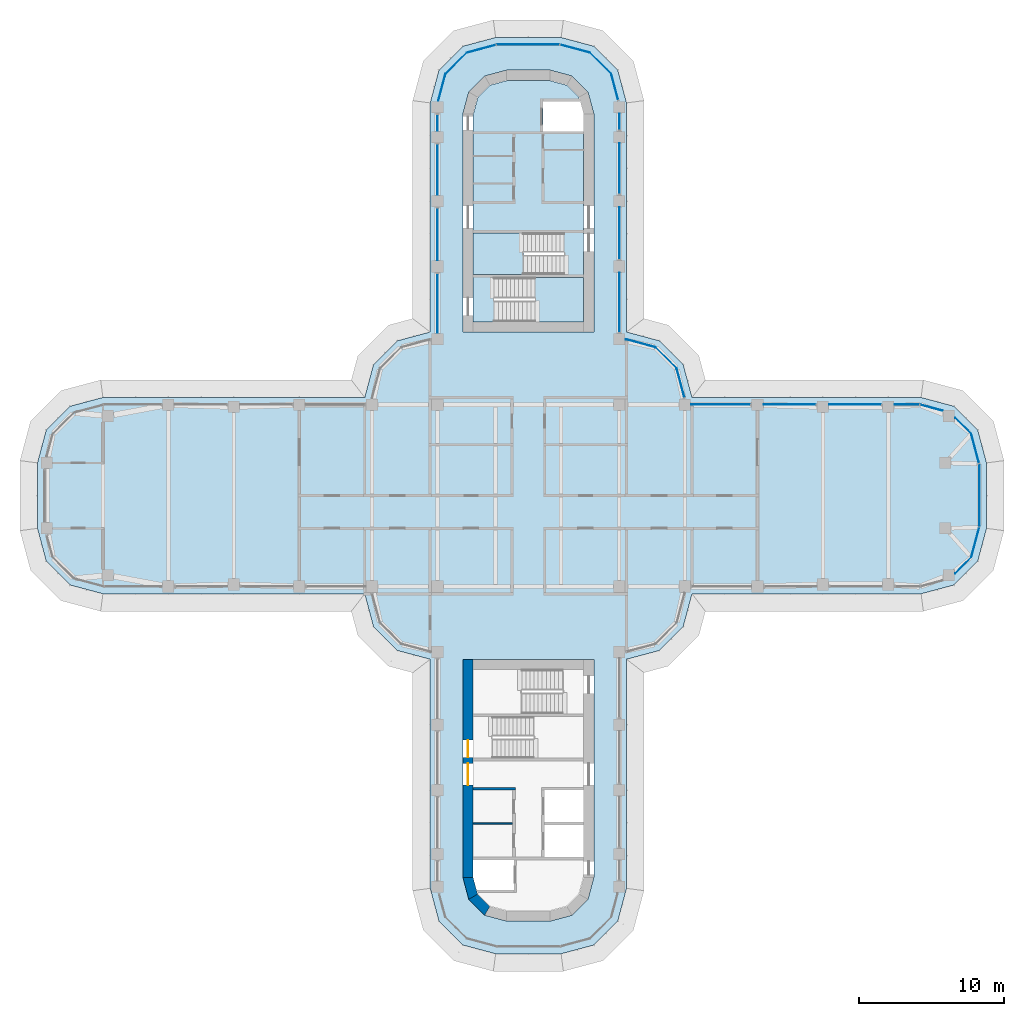
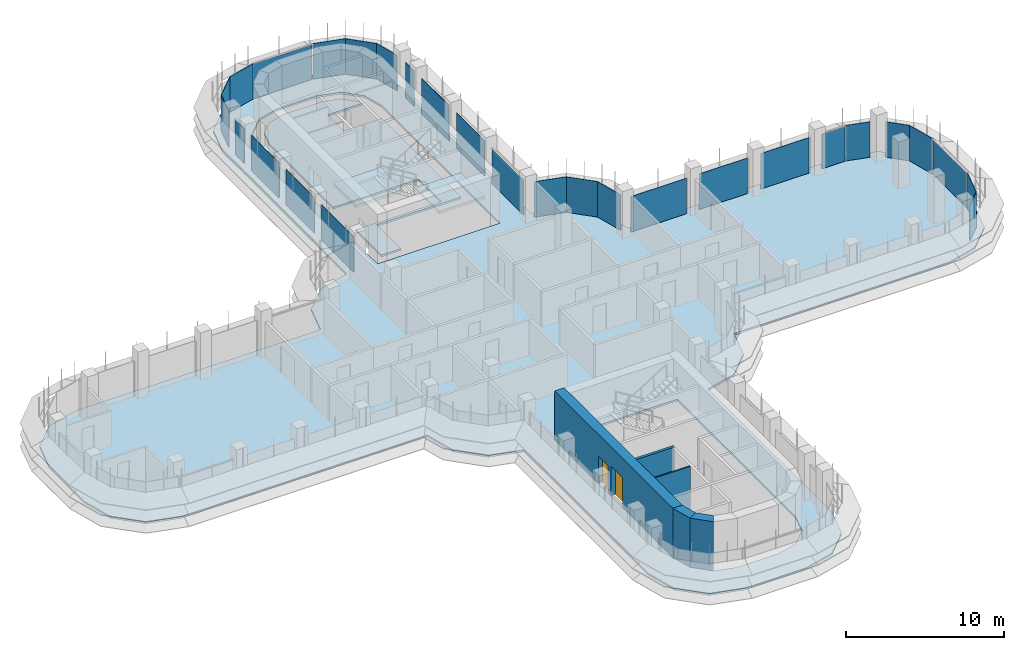
# One storey, part 12 of 20: 28 plates, 5 walls, 4 slabs, 2 doors, 2 openings, 21 elements without a shape of their own.
"""IFC4 building model written with IfcOpenShell, lengths in metres."""

from ifc_helpers import new_model, si_unit, direction, frame, frame_2d, origin, place, context, subcontext, project, spatial, polyline, rectangle, outline, extrude, source, transform, mapped, material, layer, layer_set, type_object, element, fill, aggregate, save


model = new_model("IFC4")

# Units and contexts
model_context = context("Model", 3, precision=1e-05, world=origin(), true_north=direction((0.0, 1.0)))
body_context = subcontext(model_context, "Body", "Model", "MODEL_VIEW")
ifc_project = project(units=[si_unit("LENGTHUNIT", "METRE"), si_unit("AREAUNIT", "SQUARE_METRE"), si_unit("VOLUMEUNIT", "CUBIC_METRE"), si_unit("PLANEANGLEUNIT", "RADIAN"), si_unit("MASSUNIT", "GRAM", prefix="KILO")], contexts=[model_context])

# Site, building, storey
site_placement = place(None, origin())
site = spatial("IfcSite", under=ifc_project, at=site_placement, CompositionType="ELEMENT")
building_placement = place(site_placement, origin())
building = spatial("IfcBuilding", under=site, at=building_placement, Name="Zarbagh Exchange Tower", CompositionType="ELEMENT")
storey_placement = place(building_placement, frame((0.0, 0.0, 163.800048828125)))
storey = spatial("IfcBuildingStorey", under=building, at=storey_placement, Name="L39", CompositionType="ELEMENT", Elevation=163.800048828125)

# Slabs
ifc_material_1 = material(Name="Concrete C40/50", Category="concrete")
ifc_layer_1 = layer(ifc_material_1, 0.14990234375)
ifc_layer_set_1 = layer_set([ifc_layer_1], Name="Composite floor slab 150 C40/50")
slab_type_1 = type_object("IfcSlabType", Name="Composite floor slab 150 C40/50", PredefinedType="FLOOR", material=ifc_layer_set_1)
slab_1_placement = place(storey_placement, frame((0.0, 0.0, -0.150146484375)))
element("IfcSlab", 1, at=slab_1_placement, inside=storey, type_object=slab_type_1, Name="S5 composite floor slab", PredefinedType="FLOOR", context=body_context, shape_type="SweptSolid", body=[
    extrude(outline(polyline([(-2.25, -31.5), (-4.5, -30.897216796875), (-6.147216796875, -29.25), (-6.75, -27.0), (-6.75, -11.25), (-9.0, -10.647216796875), (-10.647216796875, -9.0), (-11.25, -6.75), (-29.25, -6.75), (-31.5, -6.147216796875), (-33.147216796875, -4.5), (-33.75, -2.25), (-33.75, 2.25), (-33.147216796875, 4.5), (-31.5, 6.147216796875), (-29.25, 6.75), (-11.25, 6.75), (-10.647216796875, 9.0), (-9.0, 10.647216796875), (-6.75, 11.25), (-6.75, 27.0), (-6.147216796875, 29.25), (-4.5, 30.897216796875), (-2.25, 31.5), (2.25, 31.5), (4.5, 30.897216796875), (6.147216796875, 29.25), (6.75, 27.0), (6.75, 11.25), (9.0, 10.647216796875), (10.647216796875, 9.0), (11.25, 6.75), (27.0, 6.75), (29.25, 6.147216796875), (30.897216796875, 4.5), (31.5, 2.25), (31.5, -2.25), (30.897216796875, -4.5), (29.25, -6.147216796875), (27.0, -6.75), (11.25, -6.75), (10.647216796875, -9.0), (9.0, -10.647216796875), (6.75, -11.25), (6.75, -27.0), (6.147216796875, -29.25), (4.5, -30.897216796875), (2.25, -31.5), (-2.25, -31.5)]), holes=[polyline([(4.5, 11.25), (4.5, 26.25), (4.09814453125, 27.75), (3.0, 28.84814453125), (1.5, 29.25), (-1.5, 29.25), (-3.0, 28.84814453125), (-4.09814453125, 27.75), (-4.5, 26.25), (-4.5, 11.25), (4.5, 11.25)]), polyline([(-1.5, -29.25), (1.5, -29.25), (3.0, -28.84814453125), (4.09814453125, -27.75), (4.5, -26.25), (4.5, -11.25), (-4.5, -11.25), (-4.5, -26.25), (-4.09814453125, -27.75), (-3.0, -28.84814453125), (-1.5, -29.25)])]), origin(), (0.0, 0.0, 1.0), 0.150146484375),
])
ifc_layer_2 = layer(ifc_material_1, 0.14990234375)
ifc_layer_set_2 = layer_set([ifc_layer_2], Name="Core floor slab 150 C40/50")
slab_type_2 = type_object("IfcSlabType", Name="Core floor slab 150 C40/50", PredefinedType="FLOOR", material=ifc_layer_set_2)
slab_2_placement = place(storey_placement, frame((0.0, 0.0, -0.150146484375)))
element("IfcSlab", 2, at=slab_2_placement, inside=storey, type_object=slab_type_2, Name="S17 core N", PredefinedType="FLOOR", context=body_context, shape_type="SweptSolid", body=[
    extrude(outline(polyline([(-3.800048828125, 11.949951171875), (-3.800048828125, 15.199951171875), (2.449951171875, 15.199951171875), (2.449951171875, 18.050048828125), (-3.800048828125, 18.050048828125), (-3.800048828125, 26.15771484375), (-3.470458984375, 27.3876953125), (-2.6376953125, 28.220458984375), (-1.40771484375, 28.550048828125), (1.40771484375, 28.550048828125), (2.6376953125, 28.220458984375), (3.470458984375, 27.3876953125), (3.800048828125, 26.15771484375), (3.800048828125, 26.15771484375), (3.547607421875, 27.10009765625), (1.0, 27.10009765625), (1.0, 25.050048828125), (3.800048828125, 25.050048828125), (3.800048828125, 15.0), (-2.35009765625, 15.0), (-2.35009765625, 11.949951171875), (-3.800048828125, 11.949951171875)])), origin(), (0.0, 0.0, 1.0), 0.150146484375),
])

# Stair, slab
stair_type = type_object("IfcStairType", Name="Exit stair two-flight half-turn", PredefinedType="HALF_TURN_STAIR", material=ifc_material_1)
stair_1_placement = place(storey_placement, origin())
stair_1 = element("IfcStair", 3, at=stair_1_placement, inside=storey, type_object=stair_type, Name="exit stair ST1", PredefinedType="HALF_TURN_STAIR")
ifc_layer_3 = layer(ifc_material_1, 0.199951171875)
ifc_layer_set_3 = layer_set([ifc_layer_3], Name="Stair landing 200 mm")
slab_type_3 = type_object("IfcSlabType", Name="Stair landing 200 mm", PredefinedType="LANDING", material=ifc_layer_set_3)
slab_3_placement = place(storey_placement, frame((0.0, 0.0, 1.699951171875)))
slab_3 = element("IfcSlab", 4, at=slab_3_placement, type_object=slab_type_3, Name="ST1 landing 1", PredefinedType="LANDING", context=body_context, shape_type="SweptSolid", body=[
    extrude(outline(polyline([(-0.35009765625, 18.050048828125), (-3.800048828125, 18.050048828125), (-3.800048828125, 15.199951171875), (-0.35009765625, 15.199951171875), (-0.35009765625, 18.050048828125)])), origin(), (0.0, 0.0, 1.0), 0.199951171875),
])
aggregate(stair_1, [slab_3])

stair_2_placement = place(storey_placement, origin())
stair_2 = element("IfcStair", 5, at=stair_2_placement, inside=storey, type_object=stair_type, Name="exit stair ST2", PredefinedType="HALF_TURN_STAIR")
slab_4_placement = place(storey_placement, frame((0.0, 0.0, 1.699951171875)))
slab_4 = element("IfcSlab", 6, at=slab_4_placement, type_object=slab_type_3, Name="ST2 landing 1", PredefinedType="LANDING", context=body_context, shape_type="SweptSolid", body=[
    extrude(outline(polyline([(0.449951171875, 11.949951171875), (3.800048828125, 11.949951171875), (3.800048828125, 15.0), (0.449951171875, 15.0), (0.449951171875, 11.949951171875)])), origin(), (0.0, 0.0, 1.0), 0.199951171875),
])
aggregate(stair_2, [slab_4])

# Curtain wall, plate
ifc_material_2 = material(Name="Anodised aluminium frame and glazing", Category="aluminium")
curtain_wall_type = type_object("IfcCurtainWallType", Name="CWB Ribbon glazing, upper zones", PredefinedType="NOTDEFINED", material=ifc_material_2)
curtain_wall_1_placement = place(storey_placement, origin())
curtain_wall_1 = element("IfcCurtainWall", 7, at=curtain_wall_1_placement, inside=storey, type_object=curtain_wall_type, Name="CWB18 curtain wall", PredefinedType="NOTDEFINED")
ifc_material_3 = material(Name="Low-e double glazed unit, 6+12+6 mm")
ifc_layer_4 = layer(ifc_material_3, 0.031982421875)
ifc_layer_set_4 = layer_set([ifc_layer_4], Name="PAB Glazing panel, Low-e double glazed unit, 6+12+6 mm")
plate_type = type_object("IfcPlateType", Name="PAB Glazing panel, Low-e double glazed unit, 6+12+6 mm", PredefinedType="CURTAIN_PANEL", material=ifc_layer_set_4)
shared_shape_1 = source(origin(), body_context, "Body", "SweptSolid", [
    extrude(outline(polyline([(0.0, -0.01611328125), (2.061279296875, -0.01611328125), (2.061279296875, 0.01611328125), (0.0, 0.01611328125), (0.0, -0.01611328125)])), origin(), (0.0, 0.0, 1.0), 2.75),
])
placement = place(storey_placement, origin())
plate_1 = element("IfcPlate", 8, at=placement, type_object=plate_type, Name="CWB18 glazing panel 1.1", PredefinedType="CURTAIN_PANEL", context=body_context, shape_type="MappedRepresentation", body=[
    mapped(shared_shape_1, transform((10.19873046875, 8.7412109375, 0.0), x_axis=(-0.707106781187, 0.707106781187, 0.0), y_axis=(-0.707106781187, -0.707106781187, 0.0), z_axis=(0.0, 0.0, 1.0))),
])
aggregate(curtain_wall_1, [plate_1])

curtain_wall_2_placement = place(storey_placement, origin())
curtain_wall_2 = element("IfcCurtainWall", 9, at=curtain_wall_2_placement, inside=storey, type_object=curtain_wall_type, Name="CWB22 curtain wall", PredefinedType="NOTDEFINED")
plate_2 = element("IfcPlate", 10, at=placement, type_object=plate_type, Name="CWB22 glazing panel 1.1", PredefinedType="CURTAIN_PANEL", context=body_context, shape_type="MappedRepresentation", body=[
    mapped(shared_shape_1, transform((5.69873046875, 28.9912109375, 0.0), x_axis=(-0.707106781187, 0.707106781187, 0.0), y_axis=(-0.707106781187, -0.707106781187, 0.0), z_axis=(0.0, 0.0, 1.0))),
])
aggregate(curtain_wall_2, [plate_2])

curtain_wall_3_placement = place(storey_placement, origin())
curtain_wall_3 = element("IfcCurtainWall", 11, at=curtain_wall_3_placement, inside=storey, type_object=curtain_wall_type, Name="CWB26 curtain wall", PredefinedType="NOTDEFINED")
plate_3 = element("IfcPlate", 12, at=placement, type_object=plate_type, Name="CWB26 glazing panel 1.1", PredefinedType="CURTAIN_PANEL", context=body_context, shape_type="MappedRepresentation", body=[
    mapped(shared_shape_1, transform((-4.2412109375, 30.44873046875, 0.0), x_axis=(-0.707106781187, -0.707106781187, 0.0), y_axis=(0.707106781187, -0.707106781187, 0.0), z_axis=(0.0, 0.0, 1.0))),
])
aggregate(curtain_wall_3, [plate_3])

curtain_wall_4_placement = place(storey_placement, origin())
curtain_wall_4 = element("IfcCurtainWall", 13, at=curtain_wall_4_placement, inside=storey, type_object=curtain_wall_type, Name="CWB11 curtain wall", PredefinedType="NOTDEFINED")
shared_shape_2 = source(origin(), body_context, "Body", "SweptSolid", [
    extrude(outline(polyline([(0.0, -0.01611328125), (2.129638671875, -0.01611328125), (2.129638671875, 0.01611328125), (0.0, 0.01611328125), (0.0, -0.01611328125)])), origin(), (0.0, 0.0, 1.0), 2.75),
])
plate_4 = element("IfcPlate", 14, at=placement, type_object=plate_type, Name="CWB11 glazing panel 1.1", PredefinedType="CURTAIN_PANEL", context=body_context, shape_type="MappedRepresentation", body=[
    mapped(shared_shape_2, transform((30.44873046875, -4.2412109375, 0.0), x_axis=(0.258824779902, 0.965924289636, 0.0), y_axis=(-0.965924289636, 0.258824779902, 0.0), z_axis=(0.0, 0.0, 1.0))),
])
aggregate(curtain_wall_4, [plate_4])

curtain_wall_5_placement = place(storey_placement, origin())
curtain_wall_5 = element("IfcCurtainWall", 15, at=curtain_wall_5_placement, inside=storey, type_object=curtain_wall_type, Name="CWB23 curtain wall", PredefinedType="NOTDEFINED")
plate_5 = element("IfcPlate", 16, at=placement, type_object=plate_type, Name="CWB23 glazing panel 1.1", PredefinedType="CURTAIN_PANEL", context=body_context, shape_type="MappedRepresentation", body=[
    mapped(shared_shape_2, transform((4.2412109375, 30.44873046875, 0.0), x_axis=(-0.965924289636, 0.258824779902, 0.0), y_axis=(-0.258824779902, -0.965924289636, 0.0), z_axis=(0.0, 0.0, 1.0))),
])
aggregate(curtain_wall_5, [plate_5])

curtain_wall_6_placement = place(storey_placement, origin())
curtain_wall_6 = element("IfcCurtainWall", 17, at=curtain_wall_6_placement, inside=storey, type_object=curtain_wall_type, Name="CWB20 curtain wall", PredefinedType="NOTDEFINED")
shared_shape_3 = source(origin(), body_context, "Body", "SweptSolid", [
    extrude(outline(polyline([(0.0, -0.01611328125), (3.4599609375, -0.01611328125), (3.4599609375, 0.01611328125), (0.0, 0.01611328125), (0.0, -0.01611328125)])), origin(), (0.0, 0.0, 1.0), 2.75),
])
plate_6 = element("IfcPlate", 18, at=placement, type_object=plate_type, Name="CWB20 glazing panel 3.1", PredefinedType="CURTAIN_PANEL", context=body_context, shape_type="MappedRepresentation", body=[
    mapped(shared_shape_3, transform((6.25, 20.75, 0.0), x_axis=(0.0, 1.0, 0.0), y_axis=(-1.0, 0.0, 0.0), z_axis=(0.0, 0.0, 1.0))),
])

curtain_wall_7_placement = place(storey_placement, origin())
curtain_wall_7 = element("IfcCurtainWall", 19, at=curtain_wall_7_placement, inside=storey, type_object=curtain_wall_type, Name="CWB28 curtain wall", PredefinedType="NOTDEFINED")
plate_7 = element("IfcPlate", 20, at=placement, type_object=plate_type, Name="CWB28 glazing panel 2.1", PredefinedType="CURTAIN_PANEL", context=body_context, shape_type="MappedRepresentation", body=[
    mapped(shared_shape_3, transform((-6.25, 24.14990234375, 0.0), x_axis=(0.0, -1.0, 0.0), y_axis=(1.0, 0.0, 0.0), z_axis=(0.0, 0.0, 1.0))),
])

# Curtain wall, plates
curtain_wall_8_placement = place(storey_placement, origin())
curtain_wall_8 = element("IfcCurtainWall", 21, at=curtain_wall_8_placement, inside=storey, type_object=curtain_wall_type, Name="CWB16 curtain wall", PredefinedType="NOTDEFINED")
shared_shape_4 = source(origin(), body_context, "Body", "SweptSolid", [
    extrude(outline(polyline([(0.0, -0.01611328125), (3.56005859375, -0.01611328125), (3.56005859375, 0.01611328125), (0.0, 0.01611328125), (0.0, -0.01611328125)])), origin(), (0.0, 0.0, 1.0), 2.75),
])
plate_8 = element("IfcPlate", 22, at=placement, type_object=plate_type, Name="CWB16 glazing panel 2.1", PredefinedType="CURTAIN_PANEL", context=body_context, shape_type="MappedRepresentation", body=[
    mapped(shared_shape_4, transform((24.25, 6.25, 0.0), x_axis=(-1.0, 0.0, 0.0), y_axis=(0.0, -1.0, 0.0), z_axis=(0.0, 0.0, 1.0))),
])
plate_9 = element("IfcPlate", 23, at=placement, type_object=plate_type, Name="CWB16 glazing panel 3.1", PredefinedType="CURTAIN_PANEL", context=body_context, shape_type="MappedRepresentation", body=[
    mapped(shared_shape_4, transform((19.75, 6.25, 0.0), x_axis=(-1.0, 0.0, 0.0), y_axis=(0.0, -1.0, 0.0), z_axis=(0.0, 0.0, 1.0))),
])

# Plate
plate_10 = element("IfcPlate", 24, at=placement, type_object=plate_type, Name="CWB20 glazing panel 2.1", PredefinedType="CURTAIN_PANEL", context=body_context, shape_type="MappedRepresentation", body=[
    mapped(shared_shape_4, transform((6.25, 16.25, 0.0), x_axis=(0.0, 1.0, 0.0), y_axis=(-1.0, 0.0, 0.0), z_axis=(0.0, 0.0, 1.0))),
])

plate_11 = element("IfcPlate", 25, at=placement, type_object=plate_type, Name="CWB28 glazing panel 3.1", PredefinedType="CURTAIN_PANEL", context=body_context, shape_type="MappedRepresentation", body=[
    mapped(shared_shape_4, transform((-6.25, 19.75, 0.0), x_axis=(0.0, -1.0, 0.0), y_axis=(1.0, 0.0, 0.0), z_axis=(0.0, 0.0, 1.0))),
])

shared_shape_5 = source(origin(), body_context, "Body", "SweptSolid", [
    extrude(outline(polyline([(0.0, -0.01611328125), (4.06005859375, -0.01611328125), (4.06005859375, 0.01611328125), (0.0, 0.01611328125), (0.0, -0.01611328125)])), origin(), (0.0, 0.0, 1.0), 2.75),
])
plate_12 = element("IfcPlate", 26, at=placement, type_object=plate_type, Name="CWB16 glazing panel 4.1", PredefinedType="CURTAIN_PANEL", context=body_context, shape_type="MappedRepresentation", body=[
    mapped(shared_shape_5, transform((15.25, 6.25, 0.0), x_axis=(-1.0, 0.0, 0.0), y_axis=(0.0, -1.0, 0.0), z_axis=(0.0, 0.0, 1.0))),
])

plate_13 = element("IfcPlate", 27, at=placement, type_object=plate_type, Name="CWB28 glazing panel 4.1", PredefinedType="CURTAIN_PANEL", context=body_context, shape_type="MappedRepresentation", body=[
    mapped(shared_shape_5, transform((-6.25, 15.25, 0.0), x_axis=(0.0, -1.0, 0.0), y_axis=(1.0, 0.0, 0.0), z_axis=(0.0, 0.0, 1.0))),
])

# Curtain wall, plate
curtain_wall_9_placement = place(storey_placement, origin())
curtain_wall_9 = element("IfcCurtainWall", 28, at=curtain_wall_9_placement, inside=storey, type_object=curtain_wall_type, Name="CWB17 curtain wall", PredefinedType="NOTDEFINED")
shared_shape_6 = source(origin(), body_context, "Body", "SweptSolid", [
    extrude(outline(polyline([(0.0, -0.01611328125), (2.063720703125, -0.01611328125), (2.063720703125, 0.01611328125), (0.0, 0.01611328125), (0.0, -0.01611328125)])), origin(), (0.0, 0.0, 1.0), 2.75),
])
plate_14 = element("IfcPlate", 29, at=placement, type_object=plate_type, Name="CWB17 glazing panel 1.1", PredefinedType="CURTAIN_PANEL", context=body_context, shape_type="MappedRepresentation", body=[
    mapped(shared_shape_6, transform((10.73291015625, 6.748046875, 0.0), x_axis=(-0.258824779902, 0.965924289636, 0.0), y_axis=(-0.965924289636, -0.258824779902, 0.0), z_axis=(0.0, 0.0, 1.0))),
])
aggregate(curtain_wall_9, [plate_14])

curtain_wall_10_placement = place(storey_placement, origin())
curtain_wall_10 = element("IfcCurtainWall", 30, at=curtain_wall_10_placement, inside=storey, type_object=curtain_wall_type, Name="CWB19 curtain wall", PredefinedType="NOTDEFINED")
shared_shape_7 = source(origin(), body_context, "Body", "SweptSolid", [
    extrude(outline(polyline([(0.0, -0.01611328125), (2.12353515625, -0.01611328125), (2.12353515625, 0.01611328125), (0.0, 0.01611328125), (0.0, -0.01611328125)])), origin(), (0.0, 0.0, 1.0), 2.75),
])
plate_15 = element("IfcPlate", 31, at=placement, type_object=plate_type, Name="CWB19 glazing panel 1.1", PredefinedType="CURTAIN_PANEL", context=body_context, shape_type="MappedRepresentation", body=[
    mapped(shared_shape_7, transform((8.7412109375, 10.19873046875, 0.0), x_axis=(-0.965924289636, 0.258824779902, 0.0), y_axis=(-0.258824779902, -0.965924289636, 0.0), z_axis=(0.0, 0.0, 1.0))),
])
aggregate(curtain_wall_10, [plate_15])

# Plate
shared_shape_8 = source(origin(), body_context, "Body", "SweptSolid", [
    extrude(outline(polyline([(0.0, -0.01611328125), (4.06005859375, -0.01611328125), (4.06005859375, 0.01611328125), (0.0, 0.01611328125), (0.0, -0.01611328125)])), origin(), (0.0, 0.0, 1.0), 2.68994140625),
])
plate_16 = element("IfcPlate", 32, at=placement, type_object=plate_type, Name="CWB20 glazing panel 1.1", PredefinedType="CURTAIN_PANEL", context=body_context, shape_type="MappedRepresentation", body=[
    mapped(shared_shape_8, transform((6.25, 11.25, 0.0), x_axis=(0.0, 1.0, 0.0), y_axis=(-1.0, 0.0, 0.0), z_axis=(0.0, 0.0, 1.0))),
])

# Curtain wall, plate
curtain_wall_11_placement = place(storey_placement, origin())
curtain_wall_11 = element("IfcCurtainWall", 33, at=curtain_wall_11_placement, inside=storey, type_object=curtain_wall_type, Name="CWB10 curtain wall", PredefinedType="NOTDEFINED")
shared_shape_9 = source(origin(), body_context, "Body", "SweptSolid", [
    extrude(outline(polyline([(0.0, -0.01611328125), (1.556884765625, -0.01611328125), (1.556884765625, 0.01611328125), (0.0, 0.01611328125), (0.0, -0.01611328125)])), origin(), (0.0, 0.0, 1.0), 2.75),
])
plate_17 = element("IfcPlate", 34, at=placement, type_object=plate_type, Name="CWB10 glazing panel 1.1", PredefinedType="CURTAIN_PANEL", context=body_context, shape_type="MappedRepresentation", body=[
    mapped(shared_shape_9, transform((29.347900390625, -5.342041015625, 0.0), x_axis=(0.707106781187, 0.707106781187, 0.0), y_axis=(-0.707106781187, 0.707106781187, 0.0), z_axis=(0.0, 0.0, 1.0))),
])
aggregate(curtain_wall_11, [plate_17])

curtain_wall_12_placement = place(storey_placement, origin())
curtain_wall_12 = element("IfcCurtainWall", 35, at=curtain_wall_12_placement, inside=storey, type_object=curtain_wall_type, Name="CWB14 curtain wall", PredefinedType="NOTDEFINED")
plate_18 = element("IfcPlate", 36, at=placement, type_object=plate_type, Name="CWB14 glazing panel 1.1", PredefinedType="CURTAIN_PANEL", context=body_context, shape_type="MappedRepresentation", body=[
    mapped(shared_shape_9, transform((30.44873046875, 4.2412109375, 0.0), x_axis=(-0.707106781187, 0.707106781187, 0.0), y_axis=(-0.707106781187, -0.707106781187, 0.0), z_axis=(0.0, 0.0, 1.0))),
])
aggregate(curtain_wall_12, [plate_18])

curtain_wall_13_placement = place(storey_placement, origin())
curtain_wall_13 = element("IfcCurtainWall", 37, at=curtain_wall_13_placement, inside=storey, type_object=curtain_wall_type, Name="CWB12 curtain wall", PredefinedType="NOTDEFINED")
shared_shape_10 = source(origin(), body_context, "Body", "SweptSolid", [
    extrude(outline(polyline([(0.0, -0.01611328125), (4.308349609375, -0.01611328125), (4.308349609375, 0.01611328125), (0.0, 0.01611328125), (0.0, -0.01611328125)])), origin(), (0.0, 0.0, 1.0), 2.68994140625),
])
plate_19 = element("IfcPlate", 38, at=placement, type_object=plate_type, Name="CWB12 glazing panel 1.1", PredefinedType="CURTAIN_PANEL", context=body_context, shape_type="MappedRepresentation", body=[
    mapped(shared_shape_10, transform((31.0, -2.124267578125, 0.0), x_axis=(0.0, 1.0, 0.0), y_axis=(-1.0, 0.0, 0.0), z_axis=(0.0, 0.0, 1.0))),
])
aggregate(curtain_wall_13, [plate_19])

curtain_wall_14_placement = place(storey_placement, origin())
curtain_wall_14 = element("IfcCurtainWall", 39, at=curtain_wall_14_placement, inside=storey, type_object=curtain_wall_type, Name="CWB24 curtain wall", PredefinedType="NOTDEFINED")
plate_20 = element("IfcPlate", 40, at=placement, type_object=plate_type, Name="CWB24 glazing panel 1.1", PredefinedType="CURTAIN_PANEL", context=body_context, shape_type="MappedRepresentation", body=[
    mapped(shared_shape_10, transform((2.124267578125, 31.0, 0.0), x_axis=(-1.0, 0.0, 0.0), y_axis=(0.0, -1.0, 0.0), z_axis=(0.0, 0.0, 1.0))),
])
aggregate(curtain_wall_14, [plate_20])

curtain_wall_15_placement = place(storey_placement, origin())
curtain_wall_15 = element("IfcCurtainWall", 41, at=curtain_wall_15_placement, inside=storey, type_object=curtain_wall_type, Name="CWB13 curtain wall", PredefinedType="NOTDEFINED")
shared_shape_11 = source(origin(), body_context, "Body", "SweptSolid", [
    extrude(outline(polyline([(0.0, -0.01611328125), (2.069580078125, -0.01611328125), (2.069580078125, 0.01611328125), (0.0, 0.01611328125), (0.0, -0.01611328125)])), origin(), (0.0, 0.0, 1.0), 2.75),
])
plate_21 = element("IfcPlate", 42, at=placement, type_object=plate_type, Name="CWB13 glazing panel 1.1", PredefinedType="CURTAIN_PANEL", context=body_context, shape_type="MappedRepresentation", body=[
    mapped(shared_shape_11, transform((30.984375, 2.2421875, 0.0), x_axis=(-0.258824779902, 0.965924289636, 0.0), y_axis=(-0.965924289636, -0.258824779902, 0.0), z_axis=(0.0, 0.0, 1.0))),
])
aggregate(curtain_wall_15, [plate_21])

curtain_wall_16_placement = place(storey_placement, origin())
curtain_wall_16 = element("IfcCurtainWall", 43, at=curtain_wall_16_placement, inside=storey, type_object=curtain_wall_type, Name="CWB25 curtain wall", PredefinedType="NOTDEFINED")
plate_22 = element("IfcPlate", 44, at=placement, type_object=plate_type, Name="CWB25 glazing panel 1.1", PredefinedType="CURTAIN_PANEL", context=body_context, shape_type="MappedRepresentation", body=[
    mapped(shared_shape_11, transform((-2.2421875, 30.984375, 0.0), x_axis=(-0.965924289636, -0.258824779902, 0.0), y_axis=(0.258824779902, -0.965924289636, 0.0), z_axis=(0.0, 0.0, 1.0))),
])
aggregate(curtain_wall_16, [plate_22])

curtain_wall_17_placement = place(storey_placement, origin())
curtain_wall_17 = element("IfcCurtainWall", 45, at=curtain_wall_17_placement, inside=storey, type_object=curtain_wall_type, Name="CWB15 curtain wall", PredefinedType="NOTDEFINED")
shared_shape_12 = source(origin(), body_context, "Body", "SweptSolid", [
    extrude(outline(polyline([(0.0, -0.01611328125), (1.587890625, -0.01611328125), (1.587890625, 0.01611328125), (0.0, 0.01611328125), (0.0, -0.01611328125)])), origin(), (0.0, 0.0, 1.0), 2.75),
])
plate_23 = element("IfcPlate", 46, at=placement, type_object=plate_type, Name="CWB15 glazing panel 1.1", PredefinedType="CURTAIN_PANEL", context=body_context, shape_type="MappedRepresentation", body=[
    mapped(shared_shape_12, transform((28.468017578125, 5.839111328125, 0.0), x_axis=(-0.965924289636, 0.258824779902, 0.0), y_axis=(-0.258824779902, -0.965924289636, 0.0), z_axis=(0.0, 0.0, 1.0))),
])
aggregate(curtain_wall_17, [plate_23])

# Plate
shared_shape_13 = source(origin(), body_context, "Body", "SweptSolid", [
    extrude(outline(polyline([(0.0, -0.01611328125), (1.68408203125, -0.01611328125), (1.68408203125, 0.01611328125), (0.0, 0.01611328125), (0.0, -0.01611328125)])), origin(), (0.0, 0.0, 1.0), 2.68994140625),
])
plate_24 = element("IfcPlate", 47, at=placement, type_object=plate_type, Name="CWB16 glazing panel 1.1", PredefinedType="CURTAIN_PANEL", context=body_context, shape_type="MappedRepresentation", body=[
    mapped(shared_shape_13, transform((26.874267578125, 6.25, 0.0), x_axis=(-1.0, 0.0, 0.0), y_axis=(0.0, -1.0, 0.0), z_axis=(0.0, 0.0, 1.0))),
])

aggregate(curtain_wall_8, [plate_24, plate_8, plate_9, plate_12])

shared_shape_14 = source(origin(), body_context, "Body", "SweptSolid", [
    extrude(outline(polyline([(0.0, -0.01611328125), (1.110107421875, -0.01611328125), (1.110107421875, 0.01611328125), (0.0, 0.01611328125), (0.0, -0.01611328125)])), origin(), (0.0, 0.0, 1.0), 2.75),
])
plate_25 = element("IfcPlate", 48, at=placement, type_object=plate_type, Name="CWB20 glazing panel 4.1", PredefinedType="CURTAIN_PANEL", context=body_context, shape_type="MappedRepresentation", body=[
    mapped(shared_shape_14, transform((6.25, 25.150146484375, 0.0), x_axis=(0.0, 1.0, 0.0), y_axis=(-1.0, 0.0, 0.0), z_axis=(0.0, 0.0, 1.0))),
])

aggregate(curtain_wall_6, [plate_16, plate_10, plate_6, plate_25])

# Curtain wall, plate
curtain_wall_18_placement = place(storey_placement, origin())
curtain_wall_18 = element("IfcCurtainWall", 49, at=curtain_wall_18_placement, inside=storey, type_object=curtain_wall_type, Name="CWB21 curtain wall", PredefinedType="NOTDEFINED")
shared_shape_15 = source(origin(), body_context, "Body", "SweptSolid", [
    extrude(outline(polyline([(0.0, -0.01611328125), (1.8564453125, -0.01611328125), (1.8564453125, 0.01611328125), (0.0, 0.01611328125), (0.0, -0.01611328125)])), origin(), (0.0, 0.0, 1.0), 2.75),
])
plate_26 = element("IfcPlate", 50, at=placement, type_object=plate_type, Name="CWB21 glazing panel 1.1", PredefinedType="CURTAIN_PANEL", context=body_context, shape_type="MappedRepresentation", body=[
    mapped(shared_shape_15, transform((6.17919921875, 27.197998046875, 0.0), x_axis=(-0.258824779902, 0.965924289636, 0.0), y_axis=(-0.965924289636, -0.258824779902, 0.0), z_axis=(0.0, 0.0, 1.0))),
])
aggregate(curtain_wall_18, [plate_26])

curtain_wall_19_placement = place(storey_placement, origin())
curtain_wall_19 = element("IfcCurtainWall", 51, at=curtain_wall_19_placement, inside=storey, type_object=curtain_wall_type, Name="CWB27 curtain wall", PredefinedType="NOTDEFINED")
shared_shape_16 = source(origin(), body_context, "Body", "SweptSolid", [
    extrude(outline(polyline([(0.0, -0.01611328125), (1.91650390625, -0.01611328125), (1.91650390625, 0.01611328125), (0.0, 0.01611328125), (0.0, -0.01611328125)])), origin(), (0.0, 0.0, 1.0), 2.75),
])
plate_27 = element("IfcPlate", 52, at=placement, type_object=plate_type, Name="CWB27 glazing panel 1.1", PredefinedType="CURTAIN_PANEL", context=body_context, shape_type="MappedRepresentation", body=[
    mapped(shared_shape_16, transform((-5.69873046875, 28.9912109375, 0.0), x_axis=(-0.258824779902, -0.965924289636, 0.0), y_axis=(0.965924289636, -0.258824779902, 0.0), z_axis=(0.0, 0.0, 1.0))),
])
aggregate(curtain_wall_19, [plate_27])

# Plate
shared_shape_17 = source(origin(), body_context, "Body", "SweptSolid", [
    extrude(outline(polyline([(0.0, -0.01611328125), (1.110107421875, -0.01611328125), (1.110107421875, 0.01611328125), (0.0, 0.01611328125), (0.0, -0.01611328125)])), origin(), (0.0, 0.0, 1.0), 2.68994140625),
])
plate_28 = element("IfcPlate", 53, at=placement, type_object=plate_type, Name="CWB28 glazing panel 1.1", PredefinedType="CURTAIN_PANEL", context=body_context, shape_type="MappedRepresentation", body=[
    mapped(shared_shape_17, transform((-6.25, 26.199951171875, 0.0), x_axis=(0.0, -1.0, 0.0), y_axis=(1.0, 0.0, 0.0), z_axis=(0.0, 0.0, 1.0))),
])

aggregate(curtain_wall_7, [plate_28, plate_7, plate_11, plate_13])

# Walls
ifc_material_4 = material(Name="Dense blockwork", Category="masonry")
ifc_layer_5 = layer(ifc_material_4, 0.10009765625)
ifc_layer_set_5 = layer_set([ifc_layer_5], Name="Core partition 100 mm blockwork")
wall_type_1 = type_object("IfcWallType", Name="Core partition 100 mm blockwork", PredefinedType="PARTITIONING", material=ifc_layer_set_5)
wall_1_placement = place(storey_placement, frame((-1.10009765625, -22.550048828125, 0.0), z_axis=(0.0, 0.0, 1.0), x_axis=(-1.0, 0.0, 0.0)))
element("IfcWall", 54, at=wall_1_placement, inside=storey, type_object=wall_type_1, Name="South core partition wall CUT-E-580", PredefinedType="PARTITIONING", context=body_context, shape_type="SweptSolid", body=[
    extrude(rectangle(XDim=2.699951171875, YDim=0.10009765625, at=frame_2d((1.35009765625, 0.0))), origin(), (0.0, 0.0, 1.0), 3.64990234375),
])
ifc_material_5 = material(Name="Concrete C50/60", Category="concrete")
ifc_layer_6 = layer(ifc_material_5, 0.699951171875)
ifc_layer_set_6 = layer_set([ifc_layer_6], Name="RC core corner wall 700 C50/60")
wall_type_2 = type_object("IfcWallType", Name="RC core corner wall 700 C50/60", PredefinedType="SHEAR", material=ifc_layer_set_6)
wall_2_placement = place(storey_placement, origin())
element("IfcWall", 55, at=wall_2_placement, inside=storey, type_object=wall_type_2, Name="CW6 core S corner W", PredefinedType="SHEAR", context=body_context, shape_type="SweptSolid", body=[
    extrude(outline(polyline([(-4.5, -26.25), (-4.09814453125, -27.75), (-3.491943359375, -27.39990234375), (-3.800048828125, -26.25), (-4.5, -26.25)])), origin(), (0.0, 0.0, 1.0), 3.800048828125),
])
wall_3_placement = place(storey_placement, origin())
element("IfcWall", 56, at=wall_3_placement, inside=storey, type_object=wall_type_2, Name="CW6 core S corner W", PredefinedType="SHEAR", context=body_context, shape_type="SweptSolid", body=[
    extrude(outline(polyline([(-4.09814453125, -27.75), (-3.0, -28.84814453125), (-2.64990234375, -28.241943359375), (-3.491943359375, -27.39990234375), (-4.09814453125, -27.75)])), origin(), (0.0, 0.0, 1.0), 3.800048828125),
])

# Wall, openings, doors
ifc_layer_7 = layer(ifc_material_5, 0.699951171875)
ifc_layer_set_7 = layer_set([ifc_layer_7], Name="RC core wall 700 C50/60")
wall_type_3 = type_object("IfcWallType", Name="RC core wall 700 C50/60", PredefinedType="SHEAR", material=ifc_layer_set_7)
wall_4_placement = place(storey_placement, frame((-4.14990234375, -11.25, 0.0), z_axis=(0.0, 0.0, 1.0), x_axis=(0.0, -1.0, 0.0)))
wall_4 = element("IfcWall", 57, at=wall_4_placement, inside=storey, type_object=wall_type_3, Name="CW5 core S W", PredefinedType="SHEAR", context=body_context, shape_type="SweptSolid", body=[
    extrude(rectangle(XDim=15.0, YDim=0.699951171875, at=frame_2d((7.5, 0.0))), origin(), (0.0, 0.0, 1.0), 3.800048828125),
])
opening_1_placement = place(wall_4_placement, frame((7.14990234375, 0.0, 0.0)))
opening_1 = element("IfcOpeningElement", 58, at=opening_1_placement, cuts=wall_4, Name="Opening CD1-1500", PredefinedType="OPENING", context=body_context, shape_type="SweptSolid", body=[
    extrude(rectangle(XDim=1.5, YDim=2.300048828125, at=frame_2d((0.75, 1.14990234375))), frame((0.0, 0.35986328125, 0.0), z_axis=(0.0, -1.0, 0.0), x_axis=(1.0, 0.0, 0.0)), (0.0, 0.0, 1.0), 0.719970703125),
])
opening_2_placement = place(wall_4_placement, frame((5.550048828125, 0.0, 0.0)))
opening_2 = element("IfcOpeningElement", 59, at=opening_2_placement, cuts=wall_4, Name="Opening SD1-1200", PredefinedType="OPENING", context=body_context, shape_type="SweptSolid", body=[
    extrude(rectangle(XDim=1.199951171875, YDim=2.10009765625, at=frame_2d((0.60009765625, 1.050048828125))), frame((0.0, 0.35986328125, 0.0), z_axis=(0.0, -1.0, 0.0), x_axis=(1.0, 0.0, 0.0)), (0.0, 0.0, 1.0), 0.719970703125),
])
ifc_material_6 = material(Name="Steel", Category="steel")
door_type_1 = type_object("IfcDoorType", Name="Exit stair door 1200 x 2100", OperationType="NOTDEFINED", PredefinedType="DOOR", material=ifc_material_6)
door_1_placement = place(opening_2_placement, origin())
door_1 = element("IfcDoor", 60, at=door_1_placement, inside=storey, type_object=door_type_1, Name="South core stair door ST1", OperationType="SINGLE_SWING_RIGHT", OverallHeight=2.10009765625, OverallWidth=1.199951171875, PredefinedType="DOOR", context=body_context, shape_type="SweptSolid", body=[
    extrude(rectangle(XDim=1.199951171875, YDim=2.10009765625, at=frame_2d((0.60009765625, 1.050048828125))), frame((0.0, 0.02490234375, 0.0), z_axis=(0.0, -1.0, 0.0), x_axis=(1.0, 0.0, 0.0)), (0.0, 0.0, 1.0), 0.050048828125),
])
fill(opening_2, door_1)
door_type_2 = type_object("IfcDoorType", Name="Lift lobby double door 1500 x 2300", OperationType="NOTDEFINED", PredefinedType="DOOR", material=ifc_material_6)
door_2_placement = place(opening_1_placement, origin())
door_2 = element("IfcDoor", 61, at=door_2_placement, inside=storey, type_object=door_type_2, Name="South core lift lobby door LOBBY-E", OperationType="DOUBLE_DOOR_SINGLE_SWING", OverallHeight=2.300048828125, OverallWidth=1.5, PredefinedType="DOOR", context=body_context, shape_type="SweptSolid", body=[
    extrude(rectangle(XDim=1.5, YDim=2.300048828125, at=frame_2d((0.75, 1.14990234375))), frame((0.0, 0.02490234375, 0.0), z_axis=(0.0, -1.0, 0.0), x_axis=(1.0, 0.0, 0.0)), (0.0, 0.0, 1.0), 0.050048828125),
])
fill(opening_1, door_2)

# Wall
ifc_layer_8 = layer(ifc_material_4, 0.199951171875)
ifc_layer_set_8 = layer_set([ifc_layer_8], Name="Shaft wall 200 mm blockwork")
wall_type_4 = type_object("IfcWallType", Name="Shaft wall 200 mm blockwork", PredefinedType="PARTITIONING", material=ifc_layer_set_8)
wall_5_placement = place(storey_placement, frame((-0.89990234375, -20.14990234375, 0.0), z_axis=(0.0, 0.0, 1.0), x_axis=(-1.0, 0.0, 0.0)))
element("IfcWall", 62, at=wall_5_placement, inside=storey, type_object=wall_type_4, Name="South core shaft wall AB-E", PredefinedType="PARTITIONING", context=body_context, shape_type="SweptSolid", body=[
    extrude(rectangle(XDim=2.900146484375, YDim=0.199951171875, at=frame_2d((1.4501953125, 0.0))), origin(), (0.0, 0.0, 1.0), 3.64990234375),
])

save(model, "model.ifc")
